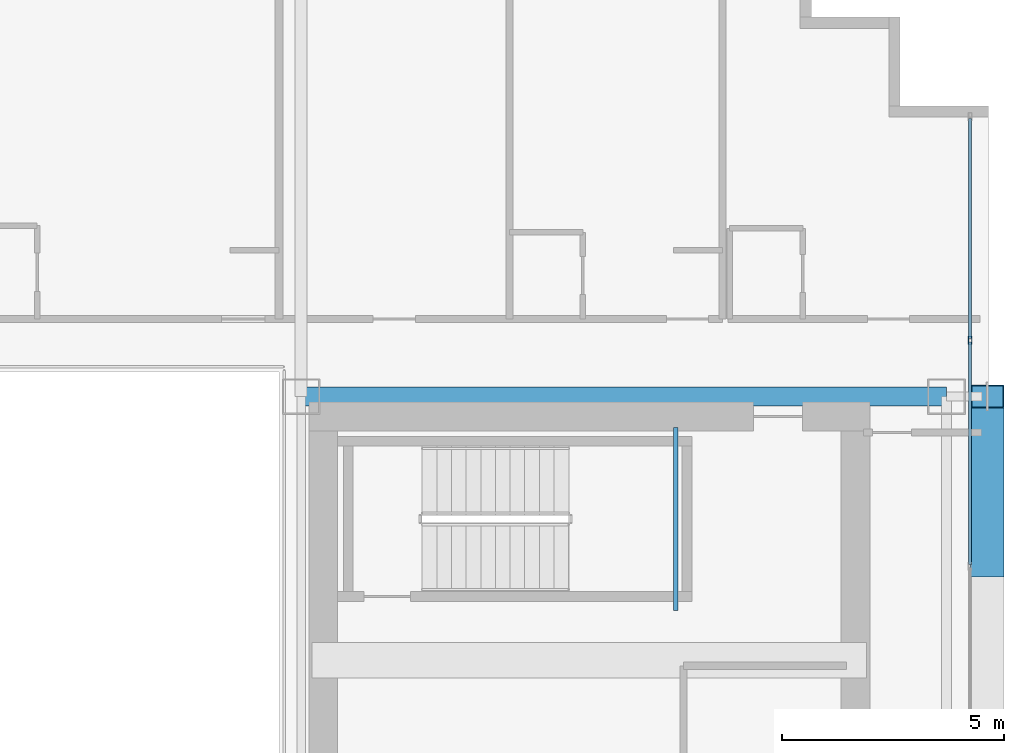
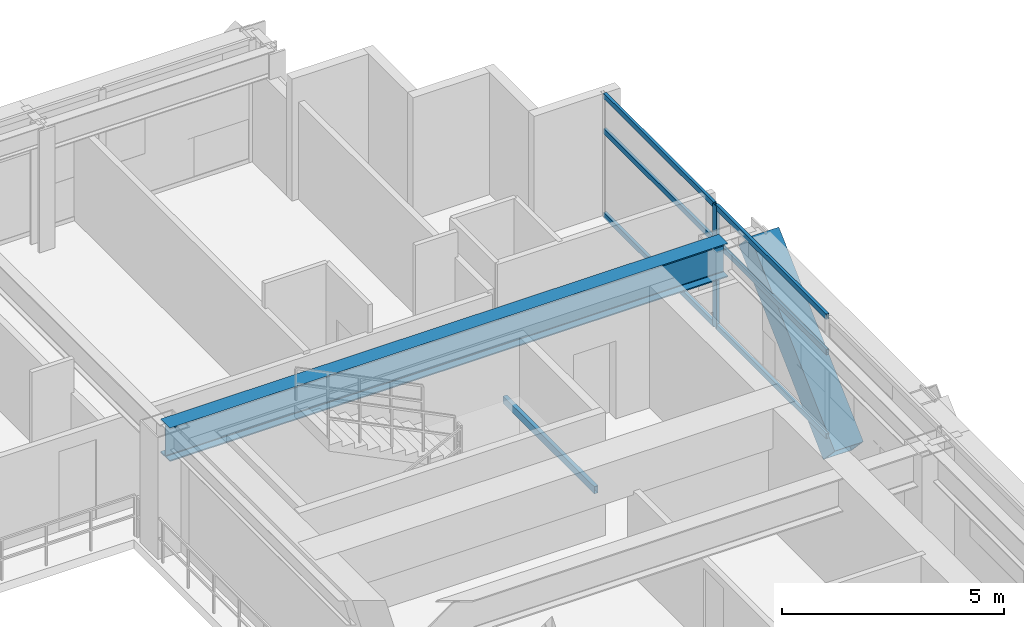
# One storey, part 20 of 35: 8 members, 2 beams, 1 element without a shape of its own.
"""IFC4 building model written with IfcOpenShell, lengths in metres."""

from ifc_helpers import new_model, si_unit, direction, frame, origin, origin_2d, place, context, subcontext, project, spatial, hollow_rectangle, i_section, extrude, source, transform, mapped, material, layer, layer_set, material_profile, profile_set, type_object, element, aggregate, save


model = new_model("IFC4")

# Units and contexts
model_context = context("Model", 3, precision=1e-05, world=origin(), true_north=direction((0.0, 1.0)))
body_context = subcontext(model_context, "Body", "Model", "MODEL_VIEW")
ifc_project = project(units=[si_unit("LENGTHUNIT", "METRE"), si_unit("AREAUNIT", "SQUARE_METRE"), si_unit("VOLUMEUNIT", "CUBIC_METRE"), si_unit("PLANEANGLEUNIT", "RADIAN"), si_unit("MASSUNIT", "GRAM", prefix="KILO")], contexts=[model_context])

# Site, building, storey
site_placement = place(None, origin())
site = spatial("IfcSite", under=ifc_project, at=site_placement, CompositionType="ELEMENT")
building_placement = place(site_placement, origin())
building = spatial("IfcBuilding", under=site, at=building_placement, Name="Ocotamira Hotel", CompositionType="ELEMENT")
storey_placement = place(building_placement, frame((0.0, 0.0, 144.0)))
storey = spatial("IfcBuildingStorey", under=building, at=storey_placement, Name="L36", CompositionType="ELEMENT", Elevation=144.0)

# Beams
ifc_material_1 = material(Name="Steel ASTM A500 Grade C", Category="steel")
ifc_material_profile_1 = material_profile(ifc_material_1, hollow_rectangle(XDim=0.10009765625, YDim=0.199951171875, WallThickness=0.008056640625, at=origin_2d()), Name="HSS200X100X8")
ifc_profile_set_1 = profile_set([ifc_material_profile_1], Name="Steel ASTM A500 Grade C")
beam_type_1 = type_object("IfcBeamType", Name="BM-STLDG-HSS200", PredefinedType="BEAM", material=ifc_profile_set_1)
shared_shape_1 = source(origin(), body_context, "Body", "SweptSolid", [
    extrude(hollow_rectangle(XDim=0.10009765625, YDim=0.199951171875, WallThickness=0.008056640625, at=origin_2d()), origin(), (0.0, 0.0, 1.0), 4.1201171875),
])
beam_1_placement = place(storey_placement, frame((48.949951171875, 32.6298828125, 1.5), z_axis=(0.0, 1.0, 0.0), x_axis=(-1.0, 0.0, 0.0)))
element("IfcBeam", 1, at=beam_1_placement, inside=storey, type_object=beam_type_1, Name="L36 Stair ST-4 Landing Bearer 1", PredefinedType="BEAM", context=body_context, shape_type="MappedRepresentation", body=[
    mapped(shared_shape_1, transform((0.0, 0.0, 0.0), scale=1.0)),
])
ifc_material_2 = material(Name="Steel ASTM A992 Grade 50", Category="steel")
ifc_material_profile_2 = material_profile(ifc_material_2, i_section(OverallWidth=0.41796875, OverallDepth=0.927001953125, WebThickness=0.019287109375, FlangeThickness=0.031982421875, FilletRadius=0.02392578125, at=origin_2d()), Name="W36X231")
ifc_profile_set_2 = profile_set([ifc_material_profile_2], Name="Steel ASTM A992 Grade 50")
beam_type_2 = type_object("IfcBeamType", Name="BM-GIRD-W36X231", PredefinedType="BEAM", material=ifc_profile_set_2)
shared_shape_2 = source(origin(), body_context, "Body", "SweptSolid", [
    extrude(i_section(OverallWidth=0.41796875, OverallDepth=0.927001953125, WebThickness=0.019287109375, FlangeThickness=0.031982421875, FilletRadius=0.02392578125, at=origin_2d()), origin(), (0.0, 0.0, 1.0), 14.550048828125),
])
beam_2_placement = place(storey_placement, frame((40.5, 37.449951171875, 2.896484375), z_axis=(1.0, 0.0, 0.0), x_axis=(0.0, 1.0, 0.0)))
element("IfcBeam", 2, at=beam_2_placement, inside=storey, type_object=beam_type_2, Name="L36 Girder Y37.45 X40.5-55.05", PredefinedType="BEAM", context=body_context, shape_type="MappedRepresentation", body=[
    mapped(shared_shape_2, transform((0.0, 0.0, 0.0), scale=1.0)),
])

# Member
ifc_material_3 = material(Name="Pale-metal coated steel ASTM A913 Grade 65", Category="steel")
ifc_material_profile_3 = material_profile(ifc_material_3, hollow_rectangle(XDim=0.75, YDim=0.75, WallThickness=0.028076171875, at=origin_2d()), Name="BOX750X750X28")
ifc_profile_set_3 = profile_set([ifc_material_profile_3], Name="Pale-metal coated steel ASTM A913 Grade 65")
member_type_1 = type_object("IfcMemberType", Name="MEM-EXO-BOX750", PredefinedType="BRACE", material=ifc_profile_set_3)
shared_shape_3 = source(origin(), body_context, "Body", "SweptSolid", [
    extrude(hollow_rectangle(XDim=0.75, YDim=0.75, WallThickness=0.028076171875, at=origin_2d()), origin(), (0.0, 0.0, 1.0), 5.24658203125),
])
member_1_placement = place(storey_placement, frame((55.969970703125, 33.63330078125, -0.489990234375), z_axis=(0.0, 0.727442733726, 0.686168397078), x_axis=(-1.0, 0.0, 0.0)))
element("IfcMember", 3, at=member_1_placement, inside=storey, type_object=member_type_1, Name="L36 Exoskeleton Diagrid E2.2", PredefinedType="BRACE", context=body_context, shape_type="MappedRepresentation", body=[
    mapped(shared_shape_3, transform((0.0, 0.0, 0.0), scale=1.0)),
])

# Curtain wall, members
ifc_material_4 = material(Name="Anodised pale-metal aluminium and solar glass", Category="aluminium")
ifc_layer = layer(ifc_material_4, 0.179931640625)
ifc_layer_set = layer_set([ifc_layer], Name="Anodised pale-metal aluminium and solar glass")
curtain_wall_type = type_object("IfcCurtainWallType", Name="CW-SYS3-Z2", PredefinedType="NOTDEFINED", material=ifc_layer_set)
curtain_wall_placement = place(storey_placement, origin())
curtain_wall = element("IfcCurtainWall", 4, at=curtain_wall_placement, inside=storey, type_object=curtain_wall_type, Name="L36 Curtain Wall CW-3 CW-L36-E", PredefinedType="NOTDEFINED")
ifc_material_5 = material(Name="Anodised pale-metal aluminium 6063-T6", Category="aluminium")
ifc_material_profile_4 = material_profile(ifc_material_5, hollow_rectangle(XDim=0.074951171875, YDim=0.14990234375, WallThickness=0.006103515625, at=origin_2d()), Name="HSS150X75X6")
ifc_profile_set_4 = profile_set([ifc_material_profile_4], Name="Anodised pale-metal aluminium 6063-T6")
member_type_2 = type_object("IfcMemberType", Name="CWT-150X75", PredefinedType="USERDEFINED", material=ifc_profile_set_4)
shared_shape_4 = source(origin(), body_context, "Body", "SweptSolid", [
    extrude(hollow_rectangle(XDim=0.074951171875, YDim=0.14990234375, WallThickness=0.006103515625, at=origin_2d()), origin(), (0.0, 0.0, 1.0), 4.965576171875),
])
member_2_placement = place(storey_placement, frame((55.580078125, 38.75439453125, 0.03759765625), z_axis=(0.0, 1.0, 0.0), x_axis=(-1.0, 0.0, 0.0)))
member_2 = element("IfcMember", 5, at=member_2_placement, type_object=member_type_2, Name="CW-3 transom 7.1", ObjectType="TRANSOM", PredefinedType="USERDEFINED", context=body_context, shape_type="MappedRepresentation", body=[
    mapped(shared_shape_4, transform((0.0, 0.0, 0.0), scale=1.0)),
])
member_3_placement = place(storey_placement, frame((55.580078125, 38.75439453125, 2.35009765625), z_axis=(0.0, 1.0, 0.0), x_axis=(-1.0, 0.0, 0.0)))
member_3 = element("IfcMember", 6, at=member_3_placement, type_object=member_type_2, Name="CW-3 transom 7.2", ObjectType="TRANSOM", PredefinedType="USERDEFINED", context=body_context, shape_type="MappedRepresentation", body=[
    mapped(shared_shape_4, transform((0.0, 0.0, 0.0), scale=1.0)),
])
member_4_placement = place(storey_placement, frame((55.580078125, 38.75439453125, 3.322509765625), z_axis=(0.0, 1.0, 0.0), x_axis=(-1.0, 0.0, 0.0)))
member_4 = element("IfcMember", 7, at=member_4_placement, type_object=member_type_2, Name="CW-3 transom 7.3", ObjectType="TRANSOM", PredefinedType="USERDEFINED", context=body_context, shape_type="MappedRepresentation", body=[
    mapped(shared_shape_4, transform((0.0, 0.0, 0.0), scale=1.0)),
])
shared_shape_5 = source(origin(), body_context, "Body", "SweptSolid", [
    extrude(hollow_rectangle(XDim=0.074951171875, YDim=0.14990234375, WallThickness=0.006103515625, at=origin_2d()), origin(), (0.0, 0.0, 1.0), 5.005859375),
])
member_5_placement = place(storey_placement, frame((55.580078125, 33.66845703125, 0.03759765625), z_axis=(0.0, 1.0, 0.0), x_axis=(-1.0, 0.0, 0.0)))
member_5 = element("IfcMember", 8, at=member_5_placement, type_object=member_type_2, Name="CW-3 transom 6.1", ObjectType="TRANSOM", PredefinedType="USERDEFINED", context=body_context, shape_type="MappedRepresentation", body=[
    mapped(shared_shape_5, transform((0.0, 0.0, 0.0), scale=1.0)),
])
member_6_placement = place(storey_placement, frame((55.580078125, 33.66845703125, 2.35009765625), z_axis=(0.0, 1.0, 0.0), x_axis=(-1.0, 0.0, 0.0)))
member_6 = element("IfcMember", 9, at=member_6_placement, type_object=member_type_2, Name="CW-3 transom 6.2", ObjectType="TRANSOM", PredefinedType="USERDEFINED", context=body_context, shape_type="MappedRepresentation", body=[
    mapped(shared_shape_5, transform((0.0, 0.0, 0.0), scale=1.0)),
])
member_7_placement = place(storey_placement, frame((55.580078125, 33.66845703125, 3.322509765625), z_axis=(0.0, 1.0, 0.0), x_axis=(-1.0, 0.0, 0.0)))
member_7 = element("IfcMember", 10, at=member_7_placement, type_object=member_type_2, Name="CW-3 transom 6.3", ObjectType="TRANSOM", PredefinedType="USERDEFINED", context=body_context, shape_type="MappedRepresentation", body=[
    mapped(shared_shape_5, transform((0.0, 0.0, 0.0), scale=1.0)),
])
ifc_material_profile_5 = material_profile(ifc_material_5, hollow_rectangle(XDim=0.080078125, YDim=0.179931640625, WallThickness=0.006103515625, at=origin_2d()), Name="HSS180X80X6")
ifc_profile_set_5 = profile_set([ifc_material_profile_5], Name="Anodised pale-metal aluminium 6063-T6")
member_type_3 = type_object("IfcMemberType", Name="CWM-180X75", PredefinedType="MULLION", material=ifc_profile_set_5)
shared_shape_6 = source(origin(), body_context, "Body", "SweptSolid", [
    extrude(hollow_rectangle(XDim=0.080078125, YDim=0.179931640625, WallThickness=0.006103515625, at=origin_2d()), origin(), (0.0, 0.0, 1.0), 3.360107421875),
])
member_8_placement = place(storey_placement, frame((55.580078125, 38.71435546875, 0.0), z_axis=(0.0, 0.0, 1.0), x_axis=(-1.0, 0.0, 0.0)))
member_8 = element("IfcMember", 11, at=member_8_placement, type_object=member_type_3, Name="CW-3 mullion 7", PredefinedType="MULLION", context=body_context, shape_type="MappedRepresentation", body=[
    mapped(shared_shape_6, transform((0.0, 0.0, 0.0), scale=1.0)),
])
aggregate(curtain_wall, [member_8, member_5, member_6, member_7, member_2, member_3, member_4])

save(model, "model.ifc")
